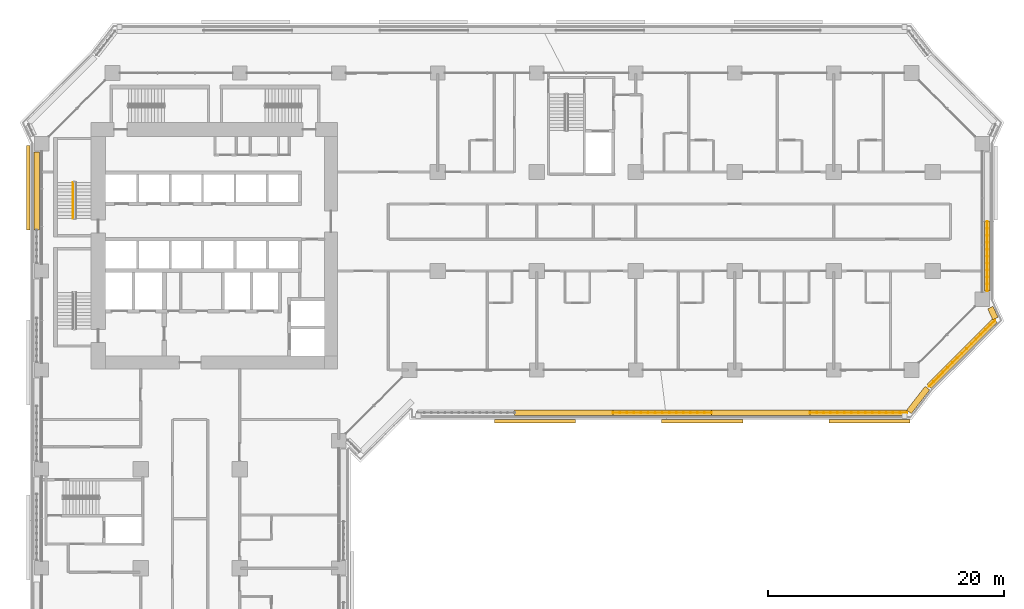
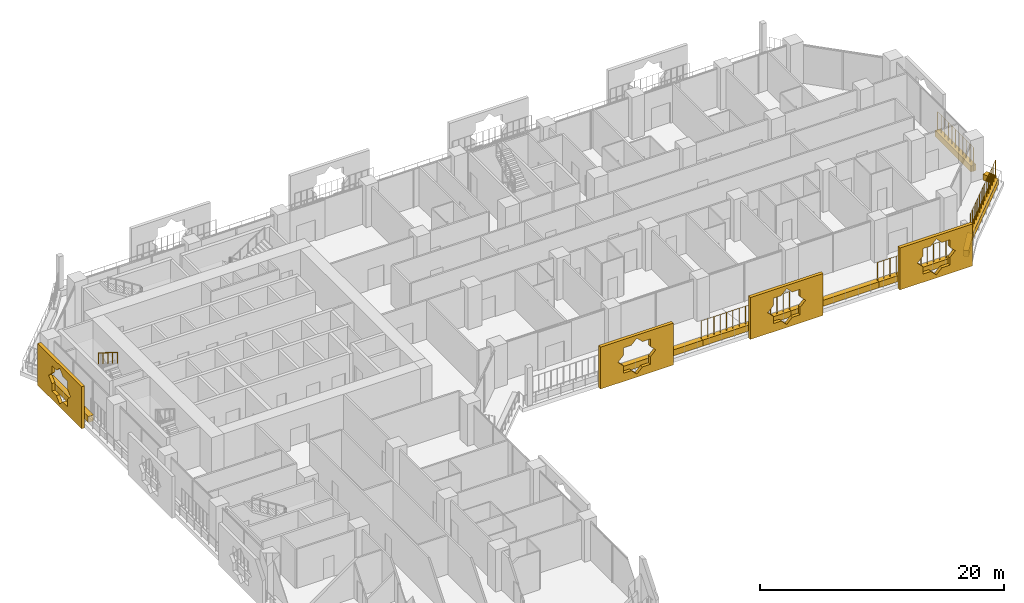
# One storey, part 24 of 27: 13 coverings, 5 railings.
"""IFC4 building model written with IfcOpenShell, lengths in metres."""

from ifc_helpers import new_model, si_unit, direction, frame, origin, origin_2d, place, context, subcontext, project, spatial, polyline, rectangle, circle, outline, extrude, material, material_profile, profile_set, type_object, element, save


model = new_model("IFC4")

# Units and contexts
model_context = context("Model", 3, precision=1e-05, world=origin(), true_north=direction((0.0, 1.0)))
body_context = subcontext(model_context, "Body", "Model", "MODEL_VIEW")
ifc_project = project(units=[si_unit("LENGTHUNIT", "METRE"), si_unit("AREAUNIT", "SQUARE_METRE"), si_unit("VOLUMEUNIT", "CUBIC_METRE"), si_unit("PLANEANGLEUNIT", "RADIAN"), si_unit("MASSUNIT", "GRAM", prefix="KILO")], contexts=[model_context])

# Site, building, storey
site_placement = place(None, origin())
site = spatial("IfcSite", under=ifc_project, at=site_placement, CompositionType="ELEMENT")
building_placement = place(site_placement, origin())
building = spatial("IfcBuilding", under=site, at=building_placement, Name="Kawkab Arch Medical Tower", CompositionType="ELEMENT")
storey_placement = place(building_placement, frame((0.0, 0.0, 85.39990234375)))
storey = spatial("IfcBuildingStorey", under=building, at=storey_placement, Name="L19", CompositionType="ELEMENT", Elevation=85.39990234375)

# Coverings
ifc_material_1 = material(Name="Bronze anodised aluminium mashrabiya panel, eight-point star pattern", Category="aluminium")
ifc_material_profile_1 = material_profile(ifc_material_1, outline(polyline([(-3.449951171875, -2.10009765625), (3.449951171875, -2.10009765625), (3.449951171875, 2.10009765625), (-3.449951171875, 2.10009765625), (-3.449951171875, -2.10009765625)]), holes=[polyline([(1.800048828125, 0.0), (1.272705078125, 0.527099609375), (1.272705078125, 1.272705078125), (0.527099609375, 1.272705078125), (0.0, 1.800048828125), (-0.527099609375, 1.272705078125), (-1.272705078125, 1.272705078125), (-1.272705078125, 0.527099609375), (-1.800048828125, 0.0), (-1.272705078125, -0.527099609375), (-1.272705078125, -1.272705078125), (-0.527099609375, -1.272705078125), (0.0, -1.800048828125), (0.527099609375, -1.272705078125), (1.272705078125, -1.272705078125), (1.272705078125, -0.527099609375), (1.800048828125, 0.0)])]), Name="Mashrabiya panel 6900x4200")
ifc_profile_set_1 = profile_set([ifc_material_profile_1], Name="Bronze anodised aluminium mashrabiya panel, eight-point star pattern")
covering_type_1 = type_object("IfcCoveringType", Name="Mashrabiya panel 6900 x 4200", PredefinedType="USERDEFINED", material=ifc_profile_set_1)
for number, where, z_axis, x_axis, name in (
    (1, (70.226318359375, -29.39990234375, 1.7001953125), (0.0, -1.0, 0.0), (1.0, 0.0, 0.0), "Mashrabiya panel L19.LOG-01-01.11"),
    (2, (56.05126953125, -29.39990234375, 1.7001953125), (0.0, -1.0, 0.0), (1.0, 0.0, 0.0), "Mashrabiya panel L19.LOG-01-01.12"),
    (3, (41.856201171875, -29.39990234375, 1.7001953125), (0.0, -1.0, 0.0), (1.0, 0.0, 0.0), "Mashrabiya panel L19.LOG-01-01.13"),
):
    element("IfcCovering", number, at=place(storey_placement, frame(where, z_axis=z_axis, x_axis=x_axis)), inside=storey, type_object=covering_type_1, Name=name, ObjectType="SCREEN", PredefinedType="USERDEFINED", context=body_context, shape_type="SweptSolid", body=[
        extrude(outline(polyline([(-3.449951171875, -2.10009765625), (3.449951171875, -2.10009765625), (3.449951171875, 2.10009765625), (-3.449951171875, 2.10009765625), (-3.449951171875, -2.10009765625)]), holes=[polyline([(1.800048828125, 0.0), (1.272705078125, 0.527099609375), (1.272705078125, 1.272705078125), (0.527099609375, 1.272705078125), (0.0, 1.800048828125), (-0.527099609375, 1.272705078125), (-1.272705078125, 1.272705078125), (-1.272705078125, 0.527099609375), (-1.800048828125, 0.0), (-1.272705078125, -0.527099609375), (-1.272705078125, -1.272705078125), (-0.527099609375, -1.272705078125), (0.0, -1.800048828125), (0.527099609375, -1.272705078125), (1.272705078125, -1.272705078125), (1.272705078125, -0.527099609375), (1.800048828125, 0.0)])]), origin(), (0.0, 0.0, 1.0), 0.300048828125),
    ])
ifc_material_2 = material(Name="Bronze anodised aluminium mashrabiya panel, eight-point star pattern", Category="aluminium")
ifc_material_profile_2 = material_profile(ifc_material_2, outline(polyline([(-3.60009765625, -2.10009765625), (3.60009765625, -2.10009765625), (3.60009765625, 2.10009765625), (-3.60009765625, 2.10009765625), (-3.60009765625, -2.10009765625)]), holes=[polyline([(1.800048828125, 0.0), (1.272705078125, 0.527099609375), (1.272705078125, 1.272705078125), (0.527099609375, 1.272705078125), (0.0, 1.800048828125), (-0.527099609375, 1.272705078125), (-1.272705078125, 1.272705078125), (-1.272705078125, 0.527099609375), (-1.800048828125, 0.0), (-1.272705078125, -0.527099609375), (-1.272705078125, -1.272705078125), (-0.527099609375, -1.272705078125), (0.0, -1.800048828125), (0.527099609375, -1.272705078125), (1.272705078125, -1.272705078125), (1.272705078125, -0.527099609375), (1.800048828125, 0.0)])]), Name="Mashrabiya panel 7200x4200")
ifc_profile_set_2 = profile_set([ifc_material_profile_2], Name="Bronze anodised aluminium mashrabiya panel, eight-point star pattern")
covering_type_2 = type_object("IfcCoveringType", Name="Mashrabiya panel 7200 x 4200", PredefinedType="USERDEFINED", material=ifc_profile_set_2)
covering_1_placement = place(storey_placement, frame((-1.0, -9.730712890625, 1.7001953125), z_axis=(-1.0, 0.0, 0.0), x_axis=(0.0, -1.0, 0.0)))
element("IfcCovering", 4, at=covering_1_placement, inside=storey, type_object=covering_type_2, Name="Mashrabiya panel L19.LOG-01-01.5", ObjectType="SCREEN", PredefinedType="USERDEFINED", context=body_context, shape_type="SweptSolid", body=[
    extrude(outline(polyline([(-3.60009765625, -2.10009765625), (3.60009765625, -2.10009765625), (3.60009765625, 2.10009765625), (-3.60009765625, 2.10009765625), (-3.60009765625, -2.10009765625)]), holes=[polyline([(1.800048828125, 0.0), (1.272705078125, 0.527099609375), (1.272705078125, 1.272705078125), (0.527099609375, 1.272705078125), (0.0, 1.800048828125), (-0.527099609375, 1.272705078125), (-1.272705078125, 1.272705078125), (-1.272705078125, 0.527099609375), (-1.800048828125, 0.0), (-1.272705078125, -0.527099609375), (-1.272705078125, -1.272705078125), (-0.527099609375, -1.272705078125), (0.0, -1.800048828125), (0.527099609375, -1.272705078125), (1.272705078125, -1.272705078125), (1.272705078125, -0.527099609375), (1.800048828125, 0.0)])]), origin(), (0.0, 0.0, 1.0), 0.300048828125),
])
ifc_material_3 = material(Name="Planting soil in a precast trough", Category="concrete")
ifc_material_profile_3 = material_profile(ifc_material_3, rectangle(XDim=0.5, YDim=0.60009765625, at=origin_2d()), Name="Trough 500x600")
ifc_profile_set_3 = profile_set([ifc_material_profile_3], Name="Planting soil in a precast trough")
covering_type_3 = type_object("IfcCoveringType", Name="Planter trough 500 x 600", PredefinedType="USERDEFINED", material=ifc_profile_set_3)
covering_2_placement = place(storey_placement, frame((-0.419921875, -13.3310546875, 0.300048828125), z_axis=(0.0, 1.0, 0.0), x_axis=(-1.0, 0.0, 0.0)))
element("IfcCovering", 5, at=covering_2_placement, inside=storey, type_object=covering_type_3, Name="Planter L19.LOG-01-01.16", ObjectType="PLANTER", PredefinedType="USERDEFINED", context=body_context, shape_type="SweptSolid", body=[
    extrude(rectangle(XDim=0.5, YDim=0.60009765625, at=origin_2d()), origin(), (0.0, 0.0, 1.0), 6.6259765625),
])
covering_3_placement = place(storey_placement, frame((80.219970703125, -12.60009765625, 0.300048828125), z_axis=(0.0, -1.0, 0.0), x_axis=(1.0, 0.0, 0.0)))
element("IfcCovering", 6, at=covering_3_placement, inside=storey, type_object=covering_type_3, Name="Planter L19.LOG-01-01.33", ObjectType="PLANTER", PredefinedType="USERDEFINED", context=body_context, shape_type="SweptSolid", body=[
    extrude(rectangle(XDim=0.5, YDim=0.60009765625, at=origin_2d()), origin(), (0.0, 0.0, 1.0), 5.89501953125),
])
covering_4_placement = place(storey_placement, frame((80.48095703125, -19.89794921875, 0.300048828125), z_axis=(0.415071571878, -0.909788761317, 0.0), x_axis=(0.909788761317, 0.415071571878, 0.0)))
element("IfcCovering", 7, at=covering_4_placement, inside=storey, type_object=covering_type_3, Name="Planter L19.LOG-01-01.34", ObjectType="PLANTER", PredefinedType="USERDEFINED", context=body_context, shape_type="SweptSolid", body=[
    extrude(rectangle(XDim=0.5, YDim=0.60009765625, at=origin_2d()), origin(), (0.0, 0.0, 1.0), 1.0146484375),
])
covering_5_placement = place(storey_placement, frame((80.873046875, -20.98291015625, 0.300048828125), z_axis=(-0.707106781187, -0.707106781187, 0.0), x_axis=(0.707106781187, -0.707106781187, 0.0)))
element("IfcCovering", 8, at=covering_5_placement, inside=storey, type_object=covering_type_3, Name="Planter L19.LOG-01-01.35", ObjectType="PLANTER", PredefinedType="USERDEFINED", context=body_context, shape_type="SweptSolid", body=[
    extrude(rectangle(XDim=0.5, YDim=0.60009765625, at=origin_2d()), origin(), (0.0, 0.0, 1.0), 7.919677734375),
])
covering_6_placement = place(storey_placement, frame((75.14111328125, -26.73193359375, 0.300048828125), z_axis=(-0.614099956103, -0.789228258436, 0.0), x_axis=(0.789228258436, -0.614099956103, 0.0)))
element("IfcCovering", 9, at=covering_6_placement, inside=storey, type_object=covering_type_3, Name="Planter L19.LOG-01-01.36", ObjectType="PLANTER", PredefinedType="USERDEFINED", context=body_context, shape_type="SweptSolid", body=[
    extrude(rectangle(XDim=0.5, YDim=0.60009765625, at=origin_2d()), origin(), (0.0, 0.0, 1.0), 2.545654296875),
])
covering_7_placement = place(storey_placement, frame((73.416015625, -28.820068359375, 0.300048828125), z_axis=(-1.0, 0.0, 0.0), x_axis=(0.0, -1.0, 0.0)))
element("IfcCovering", 10, at=covering_7_placement, inside=storey, type_object=covering_type_3, Name="Planter L19.LOG-01-01.37", ObjectType="PLANTER", PredefinedType="USERDEFINED", context=body_context, shape_type="SweptSolid", body=[
    extrude(rectangle(XDim=0.5, YDim=0.60009765625, at=origin_2d()), origin(), (0.0, 0.0, 1.0), 8.2470703125),
])
for number, where, z_axis, x_axis, name in (
    (11, (65.1689453125, -28.820068359375, 0.300048828125), (-1.0, 0.0, 0.0), (0.0, -1.0, 0.0), "Planter L19.LOG-01-01.38"),
    (12, (56.822021484375, -28.820068359375, 0.300048828125), (-1.0, 0.0, 0.0), (0.0, -1.0, 0.0), "Planter L19.LOG-01-01.39"),
):
    element("IfcCovering", number, at=place(storey_placement, frame(where, z_axis=z_axis, x_axis=x_axis)), inside=storey, type_object=covering_type_3, Name=name, ObjectType="PLANTER", PredefinedType="USERDEFINED", context=body_context, shape_type="SweptSolid", body=[
        extrude(rectangle(XDim=0.5, YDim=0.60009765625, at=origin_2d()), origin(), (0.0, 0.0, 1.0), 8.346923828125),
    ])
covering_8_placement = place(storey_placement, frame((48.47509765625, -28.820068359375, 0.300048828125), z_axis=(-1.0, 0.0, 0.0), x_axis=(0.0, -1.0, 0.0)))
element("IfcCovering", 13, at=covering_8_placement, inside=storey, type_object=covering_type_3, Name="Planter L19.LOG-01-01.40", ObjectType="PLANTER", PredefinedType="USERDEFINED", context=body_context, shape_type="SweptSolid", body=[
    extrude(rectangle(XDim=0.5, YDim=0.60009765625, at=origin_2d()), origin(), (0.0, 0.0, 1.0), 8.34814453125),
])

# Railings
ifc_material_4 = material(Name="Bronze anodised aluminium trellis for climbing plants", Category="aluminium")
railing_type_1 = type_object("IfcRailingType", Name="Planting trellis 2400", PredefinedType="USERDEFINED", material=ifc_material_4)
railing_1_placement = place(storey_placement, frame((80.219970703125, -12.60009765625, 0.0)))
element("IfcRailing", 14, at=railing_1_placement, inside=storey, type_object=railing_type_1, Name="Planting trellis L19.LOG-01-01.33", ObjectType="TRELLIS", PredefinedType="USERDEFINED", context=body_context, shape_type="SweptSolid", body=[
    extrude(circle(Radius=0.01513671875, at=origin_2d()), frame((0.0, 0.0, 2.384765625), z_axis=(0.0, -1.0, 0.0), x_axis=(1.0, 0.0, 0.0)), (0.0, 0.0, 1.0), 5.89501953125),
    extrude(circle(Radius=0.030029296875, at=origin_2d()), origin(), (0.0, 0.0, 1.0), 2.369873046875),
    extrude(circle(Radius=0.030029296875, at=origin_2d()), frame((0.0, -0.589599609375, 0.0)), (0.0, 0.0, 1.0), 2.369873046875),
    extrude(circle(Radius=0.030029296875, at=origin_2d()), frame((0.0, -1.178955078125, 0.0)), (0.0, 0.0, 1.0), 2.369873046875),
    extrude(circle(Radius=0.030029296875, at=origin_2d()), frame((0.0, -1.7685546875, 0.0)), (0.0, 0.0, 1.0), 2.369873046875),
    extrude(circle(Radius=0.030029296875, at=origin_2d()), frame((0.0, -2.35791015625, 0.0)), (0.0, 0.0, 1.0), 2.369873046875),
    extrude(circle(Radius=0.030029296875, at=origin_2d()), frame((0.0, -2.947509765625, 0.0)), (0.0, 0.0, 1.0), 2.369873046875),
    extrude(circle(Radius=0.030029296875, at=origin_2d()), frame((0.0, -3.537109375, 0.0)), (0.0, 0.0, 1.0), 2.369873046875),
    extrude(circle(Radius=0.030029296875, at=origin_2d()), frame((0.0, -4.12646484375, 0.0)), (0.0, 0.0, 1.0), 2.369873046875),
    extrude(circle(Radius=0.030029296875, at=origin_2d()), frame((0.0, -4.716064453125, 0.0)), (0.0, 0.0, 1.0), 2.369873046875),
    extrude(circle(Radius=0.030029296875, at=origin_2d()), frame((0.0, -5.305419921875, 0.0)), (0.0, 0.0, 1.0), 2.369873046875),
    extrude(circle(Radius=0.030029296875, at=origin_2d()), frame((0.0, -5.89501953125, 0.0)), (0.0, 0.0, 1.0), 2.369873046875),
])
railing_2_placement = place(storey_placement, frame((80.873046875, -20.98291015625, 0.0)))
element("IfcRailing", 15, at=railing_2_placement, inside=storey, type_object=railing_type_1, Name="Planting trellis L19.LOG-01-01.35", ObjectType="TRELLIS", PredefinedType="USERDEFINED", context=body_context, shape_type="SweptSolid", body=[
    extrude(circle(Radius=0.01513671875, at=origin_2d()), frame((0.0, 0.0, 2.384765625), z_axis=(-0.707106781187, -0.707106781187, 0.0), x_axis=(0.707106781187, -0.707106781187, 0.0)), (0.0, 0.0, 1.0), 7.919677734375),
    extrude(circle(Radius=0.030029296875, at=origin_2d()), origin(), (0.0, 0.0, 1.0), 2.369873046875),
    extrude(circle(Radius=0.030029296875, at=origin_2d()), frame((-0.39990234375, -0.39990234375, 0.0)), (0.0, 0.0, 1.0), 2.369873046875),
    extrude(circle(Radius=0.030029296875, at=origin_2d()), frame((-0.800048828125, -0.800048828125, 0.0)), (0.0, 0.0, 1.0), 2.369873046875),
    extrude(circle(Radius=0.030029296875, at=origin_2d()), frame((-1.199951171875, -1.199951171875, 0.0)), (0.0, 0.0, 1.0), 2.369873046875),
    extrude(circle(Radius=0.030029296875, at=origin_2d()), frame((-1.60009765625, -1.60009765625, 0.0)), (0.0, 0.0, 1.0), 2.369873046875),
    extrude(circle(Radius=0.030029296875, at=origin_2d()), frame((-2.0, -2.0, 0.0)), (0.0, 0.0, 1.0), 2.369873046875),
    extrude(circle(Radius=0.030029296875, at=origin_2d()), frame((-2.400146484375, -2.400146484375, 0.0)), (0.0, 0.0, 1.0), 2.369873046875),
    extrude(circle(Radius=0.030029296875, at=origin_2d()), frame((-2.800048828125, -2.800048828125, 0.0)), (0.0, 0.0, 1.0), 2.369873046875),
    extrude(circle(Radius=0.030029296875, at=origin_2d()), frame((-3.199951171875, -3.199951171875, 0.0)), (0.0, 0.0, 1.0), 2.369873046875),
    extrude(circle(Radius=0.030029296875, at=origin_2d()), frame((-3.60009765625, -3.60009765625, 0.0)), (0.0, 0.0, 1.0), 2.369873046875),
    extrude(circle(Radius=0.030029296875, at=origin_2d()), frame((-4.0, -4.0, 0.0)), (0.0, 0.0, 1.0), 2.369873046875),
    extrude(circle(Radius=0.030029296875, at=origin_2d()), frame((-4.400146484375, -4.400146484375, 0.0)), (0.0, 0.0, 1.0), 2.369873046875),
    extrude(circle(Radius=0.030029296875, at=origin_2d()), frame((-4.800048828125, -4.800048828125, 0.0)), (0.0, 0.0, 1.0), 2.369873046875),
    extrude(circle(Radius=0.030029296875, at=origin_2d()), frame((-5.2001953125, -5.2001953125, 0.0)), (0.0, 0.0, 1.0), 2.369873046875),
    extrude(circle(Radius=0.030029296875, at=origin_2d()), frame((-5.60009765625, -5.60009765625, 0.0)), (0.0, 0.0, 1.0), 2.369873046875),
])
railing_3_placement = place(storey_placement, frame((73.416015625, -28.820068359375, 0.0)))
element("IfcRailing", 16, at=railing_3_placement, inside=storey, type_object=railing_type_1, Name="Planting trellis L19.LOG-01-01.37", ObjectType="TRELLIS", PredefinedType="USERDEFINED", context=body_context, shape_type="SweptSolid", body=[
    extrude(circle(Radius=0.01513671875, at=origin_2d()), frame((0.0, 0.0, 2.384765625), z_axis=(-1.0, 0.0, 0.0), x_axis=(0.0, -1.0, 0.0)), (0.0, 0.0, 1.0), 8.2470703125),
    extrude(circle(Radius=0.030029296875, at=origin_2d()), origin(), (0.0, 0.0, 1.0), 2.369873046875),
    extrude(circle(Radius=0.030029296875, at=origin_2d()), frame((-0.589111328125, 0.0, 0.0)), (0.0, 0.0, 1.0), 2.369873046875),
    extrude(circle(Radius=0.030029296875, at=origin_2d()), frame((-1.17822265625, 0.0, 0.0)), (0.0, 0.0, 1.0), 2.369873046875),
    extrude(circle(Radius=0.030029296875, at=origin_2d()), frame((-1.767333984375, 0.0, 0.0)), (0.0, 0.0, 1.0), 2.369873046875),
    extrude(circle(Radius=0.030029296875, at=origin_2d()), frame((-2.356201171875, 0.0, 0.0)), (0.0, 0.0, 1.0), 2.369873046875),
    extrude(circle(Radius=0.030029296875, at=origin_2d()), frame((-2.9453125, 0.0, 0.0)), (0.0, 0.0, 1.0), 2.369873046875),
    extrude(circle(Radius=0.030029296875, at=origin_2d()), frame((-3.534423828125, 0.0, 0.0)), (0.0, 0.0, 1.0), 2.369873046875),
    extrude(circle(Radius=0.030029296875, at=origin_2d()), frame((-4.12353515625, 0.0, 0.0)), (0.0, 0.0, 1.0), 2.369873046875),
    extrude(circle(Radius=0.030029296875, at=origin_2d()), frame((-4.712646484375, 0.0, 0.0)), (0.0, 0.0, 1.0), 2.369873046875),
    extrude(circle(Radius=0.030029296875, at=origin_2d()), frame((-5.3017578125, 0.0, 0.0)), (0.0, 0.0, 1.0), 2.369873046875),
    extrude(circle(Radius=0.030029296875, at=origin_2d()), frame((-5.890869140625, 0.0, 0.0)), (0.0, 0.0, 1.0), 2.369873046875),
    extrude(circle(Radius=0.030029296875, at=origin_2d()), frame((-6.479736328125, 0.0, 0.0)), (0.0, 0.0, 1.0), 2.369873046875),
    extrude(circle(Radius=0.030029296875, at=origin_2d()), frame((-7.06884765625, 0.0, 0.0)), (0.0, 0.0, 1.0), 2.369873046875),
    extrude(circle(Radius=0.030029296875, at=origin_2d()), frame((-7.657958984375, 0.0, 0.0)), (0.0, 0.0, 1.0), 2.369873046875),
    extrude(circle(Radius=0.030029296875, at=origin_2d()), frame((-8.2470703125, 0.0, 0.0)), (0.0, 0.0, 1.0), 2.369873046875),
])
railing_4_placement = place(storey_placement, frame((56.822021484375, -28.820068359375, 0.0)))
element("IfcRailing", 17, at=railing_4_placement, inside=storey, type_object=railing_type_1, Name="Planting trellis L19.LOG-01-01.39", ObjectType="TRELLIS", PredefinedType="USERDEFINED", context=body_context, shape_type="SweptSolid", body=[
    extrude(circle(Radius=0.01513671875, at=origin_2d()), frame((0.0, 0.0, 2.384765625), z_axis=(-1.0, 0.0, 0.0), x_axis=(0.0, -1.0, 0.0)), (0.0, 0.0, 1.0), 8.346923828125),
    extrude(circle(Radius=0.030029296875, at=origin_2d()), origin(), (0.0, 0.0, 1.0), 2.369873046875),
    extrude(circle(Radius=0.030029296875, at=origin_2d()), frame((-0.59619140625, 0.0, 0.0)), (0.0, 0.0, 1.0), 2.369873046875),
    extrude(circle(Radius=0.030029296875, at=origin_2d()), frame((-1.1923828125, 0.0, 0.0)), (0.0, 0.0, 1.0), 2.369873046875),
    extrude(circle(Radius=0.030029296875, at=origin_2d()), frame((-1.78857421875, 0.0, 0.0)), (0.0, 0.0, 1.0), 2.369873046875),
    extrude(circle(Radius=0.030029296875, at=origin_2d()), frame((-2.384765625, 0.0, 0.0)), (0.0, 0.0, 1.0), 2.369873046875),
    extrude(circle(Radius=0.030029296875, at=origin_2d()), frame((-2.98095703125, 0.0, 0.0)), (0.0, 0.0, 1.0), 2.369873046875),
    extrude(circle(Radius=0.030029296875, at=origin_2d()), frame((-3.5771484375, 0.0, 0.0)), (0.0, 0.0, 1.0), 2.369873046875),
    extrude(circle(Radius=0.030029296875, at=origin_2d()), frame((-4.17333984375, 0.0, 0.0)), (0.0, 0.0, 1.0), 2.369873046875),
    extrude(circle(Radius=0.030029296875, at=origin_2d()), frame((-4.769775390625, 0.0, 0.0)), (0.0, 0.0, 1.0), 2.369873046875),
    extrude(circle(Radius=0.030029296875, at=origin_2d()), frame((-5.365966796875, 0.0, 0.0)), (0.0, 0.0, 1.0), 2.369873046875),
    extrude(circle(Radius=0.030029296875, at=origin_2d()), frame((-5.962158203125, 0.0, 0.0)), (0.0, 0.0, 1.0), 2.369873046875),
    extrude(circle(Radius=0.030029296875, at=origin_2d()), frame((-6.558349609375, 0.0, 0.0)), (0.0, 0.0, 1.0), 2.369873046875),
    extrude(circle(Radius=0.030029296875, at=origin_2d()), frame((-7.154541015625, 0.0, 0.0)), (0.0, 0.0, 1.0), 2.369873046875),
    extrude(circle(Radius=0.030029296875, at=origin_2d()), frame((-7.750732421875, 0.0, 0.0)), (0.0, 0.0, 1.0), 2.369873046875),
    extrude(circle(Radius=0.030029296875, at=origin_2d()), frame((-8.346923828125, 0.0, 0.0)), (0.0, 0.0, 1.0), 2.369873046875),
])
ifc_material_5 = material(Name="Stainless steel", Category="steel")
railing_type_2 = type_object("IfcRailingType", Name="Stair guard 1100", PredefinedType="GUARDRAIL", material=ifc_material_5)
railing_5_placement = place(storey_placement, frame((2.64990234375, -9.27001953125, 2.275146484375)))
element("IfcRailing", 18, at=railing_5_placement, inside=storey, type_object=railing_type_2, Name="L19 ST1 stair guard 3", PredefinedType="GUARDRAIL", context=body_context, shape_type="SweptSolid", body=[
    extrude(circle(Radius=0.02392578125, at=origin_2d()), frame((0.0, 0.0, 1.076171875), z_axis=(0.0, -0.847998304005, 0.529998940003), x_axis=(1.0, 0.0, 0.0)), (0.0, 0.0, 1.0), 3.632080078125),
    extrude(circle(Radius=0.02099609375, at=origin_2d()), origin(), (0.0, 0.0, 1.0), 1.052001953125),
    extrude(circle(Radius=0.02099609375, at=origin_2d()), frame((0.0, -0.77001953125, 0.481201171875)), (0.0, 0.0, 1.0), 1.052001953125),
    extrude(circle(Radius=0.02099609375, at=origin_2d()), frame((0.0, -1.5400390625, 0.96240234375)), (0.0, 0.0, 1.0), 1.052001953125),
    extrude(circle(Radius=0.02099609375, at=origin_2d()), frame((0.0, -2.31005859375, 1.44384765625)), (0.0, 0.0, 1.0), 1.052001953125),
    extrude(circle(Radius=0.02099609375, at=origin_2d()), frame((0.0, -3.080078125, 1.925048828125)), (0.0, 0.0, 1.0), 1.052001953125),
])

save(model, "model.ifc")
